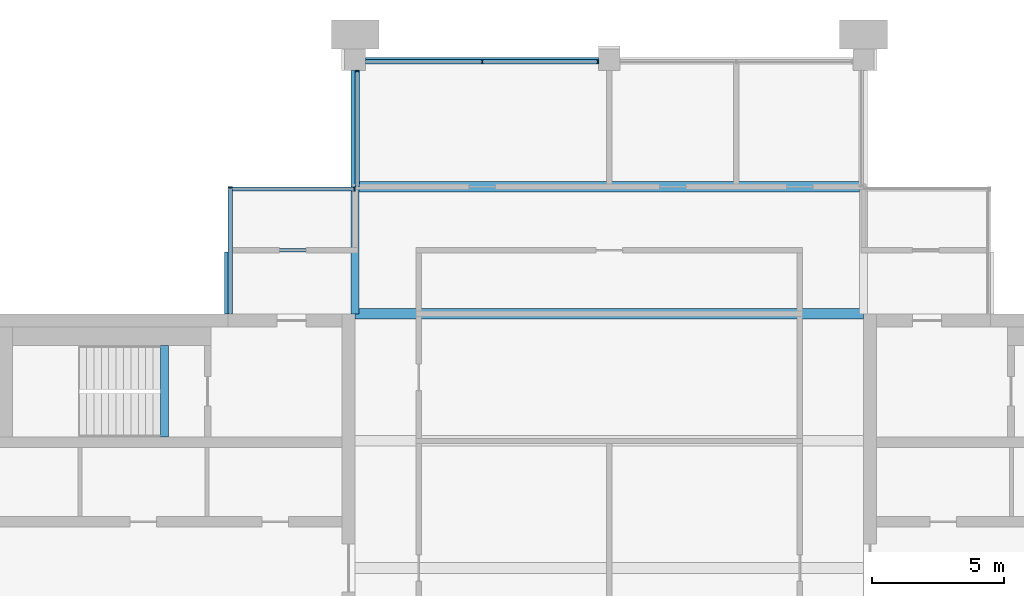
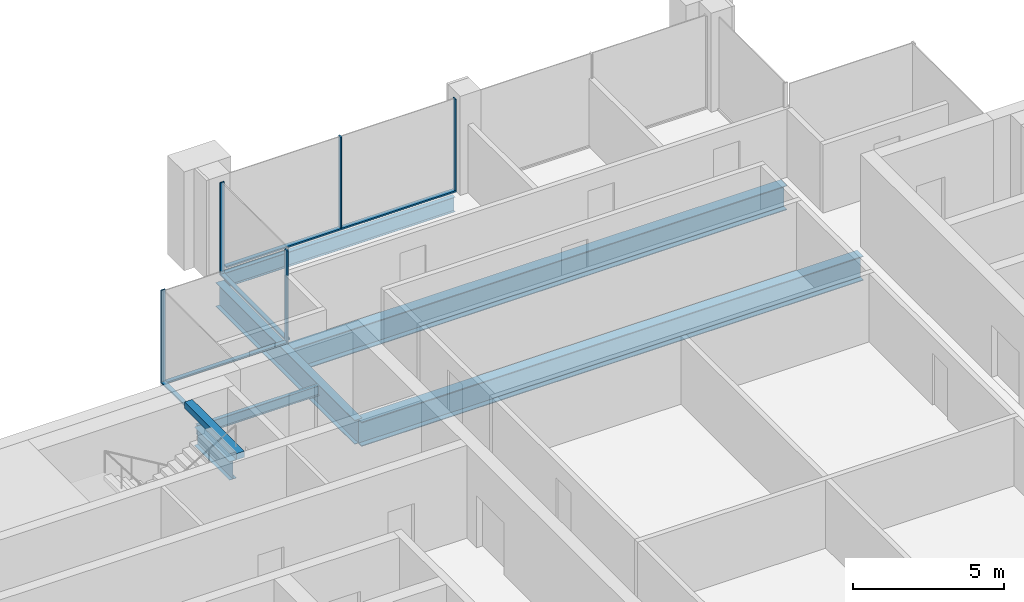
# One storey, part 5 of 12: 9 members, 7 beams, 4 elements without a shape of their own.
"""IFC4 building model written with IfcOpenShell, lengths in metres."""

import ifcopenshell
import ifcopenshell.guid

model = None  # the IFC model being written
_history = None  # IfcOwnerHistory: only IFC2X3 demands one
_inside = {}  # id of a spatial element -> (the spatial element, [elements in it])
_under = {}  # id of a project, library or spatial element -> (it, [spatial elements below it])
_declared = {}  # id of a project -> (the project, [libraries it declares])
_typed = {}  # id of a type object -> (the type object, [elements of that type])
_made_of = {}  # id of a material, layer set ... -> (it, [elements and type objects made of it])


def new_model(schema):
    """Start an empty IFC model of exactly this schema.

    Asked for "IFC4X3", IfcOpenShell would pick the latest addendum, in which some entities
    have other attributes; the version numbers below select the first issue.
    IFC2X3 requires an IfcOwnerHistory on every rooted entity: one is made here for all.
    """
    global model, _history
    if schema == "IFC4X3":
        model = ifcopenshell.file(schema_version=(4, 3, 0, 0))
    else:
        model = ifcopenshell.file(schema=schema)
    _inside.clear()
    _under.clear()
    _declared.clear()
    _typed.clear()
    _made_of.clear()
    _history = None
    if model.schema == "IFC2X3":
        org = make("IfcOrganization", Name="unknown")
        user = make(
            "IfcPersonAndOrganization",
            ThePerson=make("IfcPerson", FamilyName="unknown"),
            TheOrganization=org,
        )
        app = make(
            "IfcApplication",
            ApplicationDeveloper=org,
            Version="unknown",
            ApplicationFullName="unknown",
            ApplicationIdentifier="unknown",
        )
        _history = make(
            "IfcOwnerHistory",
            OwningUser=user,
            OwningApplication=app,
            ChangeAction="ADDED",
            CreationDate=0,
        )
    return model


def make(cls, **values):
    """One entity of the class cls with the attributes given. An attribute that is None is left unset."""
    return model.create_entity(
        cls, **{name: value for name, value in values.items() if value is not None}
    )


def rooted(cls, **values):
    """An entity with a GlobalId (a new one), such as an element, a storey or a relation."""
    return make(cls, GlobalId=ifcopenshell.guid.new(), OwnerHistory=_history, **values)


def si_unit(unit_type, name, prefix=None):
    """IfcSIUnit, for example si_unit("LENGTHUNIT", "METRE", prefix="MILLI")."""
    return make("IfcSIUnit", UnitType=unit_type, Prefix=prefix, Name=name)


def assignment(units):
    """IfcUnitAssignment: the units of a project."""
    return None if units is None else make("IfcUnitAssignment", Units=units)


def point(xyz):
    """IfcCartesianPoint."""
    return None if xyz is None else make("IfcCartesianPoint", Coordinates=xyz)


def direction(xyz):
    """IfcDirection."""
    return None if xyz is None else make("IfcDirection", DirectionRatios=xyz)


def frame(location, z_axis=None, x_axis=None):
    """IfcAxis2Placement3D, a coordinate frame: its origin and axes. An axis left out is left unset."""
    return make(
        "IfcAxis2Placement3D",
        Location=point(location),
        Axis=direction(z_axis),
        RefDirection=direction(x_axis),
    )


def frame_2d(location, x_axis=None):
    """IfcAxis2Placement2D, a coordinate frame in the plane: its origin and x axis."""
    return make(
        "IfcAxis2Placement2D", Location=point(location), RefDirection=direction(x_axis)
    )


def origin():
    """The frame at (0, 0, 0) with its axes left unset."""
    return frame((0.0, 0.0, 0.0))


def origin_2d():
    """The frame at (0, 0) in the plane with its x axis left unset."""
    return frame_2d((0.0, 0.0))


def place(relative_to, where):
    """IfcLocalPlacement: puts the frame where relative to a parent placement (None: the world)."""
    return make(
        "IfcLocalPlacement", PlacementRelTo=relative_to, RelativePlacement=where
    )


def context(
    kind, dimensions, precision=None, world=None, true_north=None, identifier=None
):
    """IfcGeometricRepresentationContext, for example the 3D "Model" context."""
    return make(
        "IfcGeometricRepresentationContext",
        ContextIdentifier=identifier,
        ContextType=kind,
        CoordinateSpaceDimension=dimensions,
        Precision=precision,
        WorldCoordinateSystem=world,
        TrueNorth=true_north,
    )


def subcontext(parent, identifier, kind, view, scale=None):
    """IfcGeometricRepresentationSubContext, for example "Body" below "Model"."""
    return make(
        "IfcGeometricRepresentationSubContext",
        ContextIdentifier=identifier,
        ContextType=kind,
        ParentContext=parent,
        TargetScale=scale,
        TargetView=view,
    )


def project(units=None, contexts=None):
    """IfcProject with its units and contexts."""
    return rooted(
        "IfcProject",
        Name="project",
        RepresentationContexts=contexts,
        UnitsInContext=assignment(units),
    )


def spatial(cls, under=None, at=None, **own):
    """A site, building, storey or space (cls), placed at a placement, below another one or the project."""
    s = rooted(cls, ObjectPlacement=at, **own)
    if under is not None:
        _under.setdefault(under.id(), (under, []))[1].append(s)
    return s


def profile(cls, at=None, kind="AREA", **sizes):
    """A parametric profile (cls). Its sizes go by their IFC names, for example OverallWidth=200.0."""
    return make(cls, ProfileType=kind, Position=at, **sizes)


def rectangle(**sizes):
    """IfcRectangleProfileDef."""
    return profile("IfcRectangleProfileDef", **sizes)


def i_section(**sizes):
    """IfcIShapeProfileDef."""
    return profile("IfcIShapeProfileDef", **sizes)


def extrude(swept, where, along, depth):
    """IfcExtrudedAreaSolid: the profile swept, set in the frame where, extruded along a direction by depth."""
    return make(
        "IfcExtrudedAreaSolid",
        SweptArea=swept,
        Position=where,
        ExtrudedDirection=direction(along),
        Depth=depth,
    )


def shape(context_of_items, identifier, shape_type, items):
    """IfcShapeRepresentation: the items that make up one representation, for example the "Body"."""
    return make(
        "IfcShapeRepresentation",
        ContextOfItems=context_of_items,
        RepresentationIdentifier=identifier,
        RepresentationType=shape_type,
        Items=items,
    )


def material(Name=None, Category=None):
    """IfcMaterial."""
    return make("IfcMaterial", Name=Name, Category=Category)


def material_profile(
    of_material, cross_section, Name=None, Category=None, Priority=None
):
    """IfcMaterialProfile: a cross section and its material."""
    return make(
        "IfcMaterialProfile",
        Name=Name,
        Material=of_material,
        Profile=cross_section,
        Priority=Priority,
        Category=Category,
    )


def profile_set(profiles, Name=None, composite=None):
    """IfcMaterialProfileSet."""
    return make(
        "IfcMaterialProfileSet",
        Name=Name,
        MaterialProfiles=profiles,
        CompositeProfile=composite,
    )


def made_of(thing, what):
    """Note that an element or type object is made of a material, layer set ...; save() writes the relation."""
    if what is not None:
        _made_of.setdefault(what.id(), (what, []))[1].append(thing)
    return thing


def type_object(cls, material=None, **own):
    """A type object (cls), such as IfcWallType, which elements share."""
    return made_of(rooted(cls, **own), material)


def element(
    cls,
    number,
    at=None,
    inside=None,
    cuts=None,
    type_object=None,
    material=None,
    context=None,
    identifier="Body",
    shape_type=None,
    held_by="IfcProductDefinitionShape",
    body=None,
    shapes=None,
    **own,
):
    """One element of the class cls, such as IfcWall. Its Tag is "e" and its number.

    at: its placement. inside: the storey or other place that contains it. cuts: it is an
    opening in that element (IfcRelVoidsElement). A single representation is given by context,
    identifier, shape_type and body (its items); several are given by shapes. held_by: the class
    of the entity that holds the representations. save() writes the other relations.
    """
    e = rooted(cls, Tag="e%d" % number, ObjectPlacement=at, **own)
    if body is not None:
        shapes = [shape(context, identifier, shape_type, body)]
    if shapes is not None:
        e.Representation = make(held_by, Representations=shapes)
    if inside is not None:
        _inside.setdefault(inside.id(), (inside, []))[1].append(e)
    if cuts is not None:
        rooted(
            "IfcRelVoidsElement", RelatingBuildingElement=cuts, RelatedOpeningElement=e
        )
    if type_object is not None:
        _typed.setdefault(type_object.id(), (type_object, []))[1].append(e)
    return made_of(e, material)


def aggregate(whole, parts):
    """IfcRelAggregates: a whole, such as a stair, and the parts it consists of."""
    return rooted("IfcRelAggregates", RelatingObject=whole, RelatedObjects=parts)


def save(model, path):
    """Write the relations noted so far, then the file.

    IfcRelAggregates (storeys below a building ...), IfcRelContainedInSpatialStructure (elements
    in a storey), IfcRelDefinesByType, IfcRelAssociatesMaterial and IfcRelDeclares: one each for
    every whole, place, type object, material and project.
    """
    for whole, parts in _under.values():
        aggregate(whole, parts)
    for where, things in _inside.values():
        rooted(
            "IfcRelContainedInSpatialStructure",
            RelatedElements=things,
            RelatingStructure=where,
        )
    for kind, things in _typed.values():
        rooted("IfcRelDefinesByType", RelatedObjects=things, RelatingType=kind)
    for what, things in _made_of.values():
        rooted("IfcRelAssociatesMaterial", RelatedObjects=things, RelatingMaterial=what)
    for by, libraries in _declared.values():
        rooted("IfcRelDeclares", RelatingContext=by, RelatedDefinitions=libraries)
    model.write(path)


model = new_model("IFC4")

# Units and contexts
model_context = context("Model", 3, precision=1e-05, world=origin(), true_north=direction((0.0, 1.0)))
body_context = subcontext(model_context, "Body", "Model", "MODEL_VIEW")
ifc_project = project(units=[si_unit("LENGTHUNIT", "METRE"), si_unit("AREAUNIT", "SQUARE_METRE"), si_unit("VOLUMEUNIT", "CUBIC_METRE"), si_unit("PLANEANGLEUNIT", "RADIAN"), si_unit("MASSUNIT", "GRAM", prefix="KILO")], contexts=[model_context])

# Site, building, storey
site_placement = place(None, origin())
site = spatial("IfcSite", under=ifc_project, at=site_placement, CompositionType="ELEMENT")
building_placement = place(site_placement, origin())
building = spatial("IfcBuilding", under=site, at=building_placement, Name="Baori Bourse Tower", CompositionType="ELEMENT")
storey_placement = place(building_placement, frame((0.0, 0.0, 362.300048828125)))
storey = spatial("IfcBuildingStorey", under=building, at=storey_placement, Name="L81", CompositionType="ELEMENT", Elevation=362.300048828125)

# Curtain wall, members
ifc_material_1 = material(Name="Pale anodised aluminium", Category="aluminium")
curtain_wall_type = type_object("IfcCurtainWallType", Name="CW3 Curtain wall", PredefinedType="NOTDEFINED", material=ifc_material_1)
curtain_wall_1_placement = place(storey_placement, origin())
curtain_wall_1 = element("IfcCurtainWall", 1, at=curtain_wall_1_placement, inside=storey, type_object=curtain_wall_type, Name="Curtain wall CW3 L81 6", PredefinedType="NOTDEFINED")
ifc_material_2 = material(Name="Pale anodised aluminium", Category="aluminium")
ifc_material_profile_1 = material_profile(ifc_material_2, rectangle(XDim=0.159912109375, YDim=0.050048828125, at=origin_2d()), Name="Mullion 50x160")
ifc_profile_set_1 = profile_set([ifc_material_profile_1], Name="Pale anodised aluminium")
member_type_1 = type_object("IfcMemberType", Name="CW3 Curtain wall mullion", PredefinedType="MULLION", material=ifc_profile_set_1)
member_1_placement = place(storey_placement, frame((28.375, 47.919921875, 0.06005859375), z_axis=(0.0, 0.0, 1.0), x_axis=(0.0, -1.0, 0.0)))
member_1 = element("IfcMember", 2, at=member_1_placement, type_object=member_type_1, Name="Curtain wall CW3 mullion", PredefinedType="MULLION", context=body_context, shape_type="SweptSolid", body=[
    extrude(rectangle(XDim=0.159912109375, YDim=0.050048828125, at=origin_2d()), origin(), (0.0, 0.0, 1.0), 3.68994140625),
])
member_2_placement = place(storey_placement, frame((24.0, 47.919921875, 0.06005859375), z_axis=(0.0, 0.0, 1.0), x_axis=(0.0, -1.0, 0.0)))
member_2 = element("IfcMember", 3, at=member_2_placement, type_object=member_type_1, Name="Curtain wall CW3 mullion", PredefinedType="MULLION", context=body_context, shape_type="SweptSolid", body=[
    extrude(rectangle(XDim=0.159912109375, YDim=0.050048828125, at=origin_2d()), origin(), (0.0, 0.0, 1.0), 3.68994140625),
])

# Curtain wall, member
curtain_wall_2_placement = place(storey_placement, origin())
curtain_wall_2 = element("IfcCurtainWall", 4, at=curtain_wall_2_placement, inside=storey, type_object=curtain_wall_type, Name="Curtain wall CW3 L81 7", PredefinedType="NOTDEFINED")
member_3_placement = place(storey_placement, frame((19.280029296875, 47.574951171875, 0.06005859375), z_axis=(0.0, 0.0, 1.0), x_axis=(1.0, 0.0, 0.0)))
member_3 = element("IfcMember", 5, at=member_3_placement, type_object=member_type_1, Name="Curtain wall CW3 mullion", PredefinedType="MULLION", context=body_context, shape_type="SweptSolid", body=[
    extrude(rectangle(XDim=0.159912109375, YDim=0.050048828125, at=origin_2d()), origin(), (0.0, 0.0, 1.0), 3.68994140625),
])

curtain_wall_3_placement = place(storey_placement, origin())
curtain_wall_3 = element("IfcCurtainWall", 6, at=curtain_wall_3_placement, inside=storey, type_object=curtain_wall_type, Name="Curtain wall CW3 L81 8", PredefinedType="NOTDEFINED")
member_4_placement = place(storey_placement, frame((19.175048828125, 43.1201171875, 0.06005859375), z_axis=(0.0, 0.0, 1.0), x_axis=(0.0, -1.0, 0.0)))
member_4 = element("IfcMember", 7, at=member_4_placement, type_object=member_type_1, Name="Curtain wall CW3 mullion", PredefinedType="MULLION", context=body_context, shape_type="SweptSolid", body=[
    extrude(rectangle(XDim=0.159912109375, YDim=0.050048828125, at=origin_2d()), origin(), (0.0, 0.0, 1.0), 3.68994140625),
])

curtain_wall_4_placement = place(storey_placement, origin())
curtain_wall_4 = element("IfcCurtainWall", 8, at=curtain_wall_4_placement, inside=storey, type_object=curtain_wall_type, Name="Curtain wall CW3 L81 9", PredefinedType="NOTDEFINED")
member_5_placement = place(storey_placement, frame((14.47998046875, 43.175048828125, 0.06005859375), z_axis=(0.0, 0.0, 1.0), x_axis=(1.0, 0.0, 0.0)))
member_5 = element("IfcMember", 9, at=member_5_placement, type_object=member_type_1, Name="Curtain wall CW3 mullion", PredefinedType="MULLION", context=body_context, shape_type="SweptSolid", body=[
    extrude(rectangle(XDim=0.159912109375, YDim=0.050048828125, at=origin_2d()), origin(), (0.0, 0.0, 1.0), 3.68994140625),
])

# Member
ifc_material_3 = material(Name="Pale anodised aluminium", Category="aluminium")
ifc_material_profile_2 = material_profile(ifc_material_3, rectangle(XDim=0.159912109375, YDim=0.06005859375, at=origin_2d()), Name="Transom 60x160")
ifc_profile_set_2 = profile_set([ifc_material_profile_2], Name="Pale anodised aluminium")
member_type_2 = type_object("IfcMemberType", Name="CW3 Curtain wall transom", PredefinedType="USERDEFINED", material=ifc_profile_set_2)
member_6_placement = place(storey_placement, frame((28.39990234375, 47.919921875, 0.030029296875), z_axis=(-1.0, 0.0, 0.0), x_axis=(0.0, -1.0, 0.0)))
member_6 = element("IfcMember", 10, at=member_6_placement, type_object=member_type_2, Name="Curtain wall CW3 sill rail", ObjectType="TRANSOM", PredefinedType="USERDEFINED", context=body_context, shape_type="SweptSolid", body=[
    extrude(rectangle(XDim=0.159912109375, YDim=0.06005859375, at=origin_2d()), origin(), (0.0, 0.0, 1.0), 8.7998046875),
])

aggregate(curtain_wall_1, [member_6, member_1, member_2])

member_7_placement = place(storey_placement, frame((19.280029296875, 47.60009765625, 0.030029296875), z_axis=(0.0, -1.0, 0.0), x_axis=(1.0, 0.0, 0.0)))
member_7 = element("IfcMember", 11, at=member_7_placement, type_object=member_type_2, Name="Curtain wall CW3 sill rail", ObjectType="TRANSOM", PredefinedType="USERDEFINED", context=body_context, shape_type="SweptSolid", body=[
    extrude(rectangle(XDim=0.159912109375, YDim=0.06005859375, at=origin_2d()), origin(), (0.0, 0.0, 1.0), 4.400146484375),
])

aggregate(curtain_wall_2, [member_7, member_3])

member_8_placement = place(storey_placement, frame((19.199951171875, 43.1201171875, 0.030029296875), z_axis=(-1.0, 0.0, 0.0), x_axis=(0.0, -1.0, 0.0)))
member_8 = element("IfcMember", 12, at=member_8_placement, type_object=member_type_2, Name="Curtain wall CW3 sill rail", ObjectType="TRANSOM", PredefinedType="USERDEFINED", context=body_context, shape_type="SweptSolid", body=[
    extrude(rectangle(XDim=0.159912109375, YDim=0.06005859375, at=origin_2d()), origin(), (0.0, 0.0, 1.0), 4.800048828125),
])

aggregate(curtain_wall_3, [member_8, member_4])

member_9_placement = place(storey_placement, frame((14.47998046875, 43.199951171875, 0.030029296875), z_axis=(0.0, -1.0, 0.0), x_axis=(1.0, 0.0, 0.0)))
member_9 = element("IfcMember", 13, at=member_9_placement, type_object=member_type_2, Name="Curtain wall CW3 sill rail", ObjectType="TRANSOM", PredefinedType="USERDEFINED", context=body_context, shape_type="SweptSolid", body=[
    extrude(rectangle(XDim=0.159912109375, YDim=0.06005859375, at=origin_2d()), origin(), (0.0, 0.0, 1.0), 4.800048828125),
])

aggregate(curtain_wall_4, [member_9, member_5])

# Beams
ifc_material_4 = material(Name="Steel A992 Gr 50", Category="steel")
ifc_material_profile_3 = material_profile(ifc_material_4, i_section(OverallWidth=0.26416015625, OverallDepth=0.749267578125, WebThickness=0.011962890625, FlangeThickness=0.015380859375, at=origin_2d()), Name="W30x90")
ifc_profile_set_3 = profile_set([ifc_material_profile_3], Name="Steel A992 Gr 50")
beam_type_1 = type_object("IfcBeamType", Name="Core bracket W30x90", PredefinedType="BEAM", material=ifc_profile_set_3)
beam_1_placement = place(storey_placement, frame((14.39990234375, 38.39990234375, -0.624755859375), z_axis=(0.0, 1.0, 0.0), x_axis=(-1.0, 0.0, 0.0)))
element("IfcBeam", 14, at=beam_1_placement, inside=storey, type_object=beam_type_1, Name="Core bracket L81", PredefinedType="BEAM", context=body_context, shape_type="SweptSolid", body=[
    extrude(i_section(OverallWidth=0.26416015625, OverallDepth=0.749267578125, WebThickness=0.011962890625, FlangeThickness=0.015380859375, at=origin_2d()), origin(), (0.0, 0.0, 1.0), 2.329833984375),
])
ifc_material_5 = material(Name="Steel A992 Gr 50", Category="steel")
ifc_material_profile_4 = material_profile(ifc_material_5, i_section(OverallWidth=0.177978515625, OverallDepth=0.599365234375, WebThickness=0.010009765625, FlangeThickness=0.012939453125, at=origin_2d()), Name="W24x55")
ifc_profile_set_4 = profile_set([ifc_material_profile_4], Name="Steel A992 Gr 50")
beam_type_2 = type_object("IfcBeamType", Name="Edge beam W24x55", PredefinedType="BEAM", material=ifc_profile_set_4)
beam_2_placement = place(storey_placement, frame((19.60009765625, 48.0, -0.5498046875), z_axis=(1.0, 0.0, 0.0), x_axis=(0.0, 1.0, 0.0)))
element("IfcBeam", 15, at=beam_2_placement, inside=storey, type_object=beam_type_2, Name="Edge beam L81", PredefinedType="BEAM", context=body_context, shape_type="SweptSolid", body=[
    extrude(i_section(OverallWidth=0.177978515625, OverallDepth=0.599365234375, WebThickness=0.010009765625, FlangeThickness=0.012939453125, at=origin_2d()), origin(), (0.0, 0.0, 1.0), 8.7998046875),
])
ifc_material_6 = material(Name="Steel A992 Gr 50", Category="steel")
ifc_material_profile_5 = material_profile(ifc_material_6, i_section(OverallWidth=0.4013671875, OverallDepth=0.990478515625, WebThickness=0.0166015625, FlangeThickness=0.031005859375, at=origin_2d()), Name="W40x215")
ifc_profile_set_5 = profile_set([ifc_material_profile_5], Name="Steel A992 Gr 50")
beam_type_3 = type_object("IfcBeamType", Name="Floor beam W40x215", PredefinedType="BEAM", material=ifc_profile_set_5)
beam_3_placement = place(storey_placement, frame((19.199951171875, 38.39990234375, -0.745361328125), z_axis=(1.0, 0.0, 0.0), x_axis=(0.0, 1.0, 0.0)))
element("IfcBeam", 16, at=beam_3_placement, inside=storey, type_object=beam_type_3, Name="Floor beam L81", PredefinedType="BEAM", context=body_context, shape_type="SweptSolid", body=[
    extrude(i_section(OverallWidth=0.4013671875, OverallDepth=0.990478515625, WebThickness=0.0166015625, FlangeThickness=0.031005859375, at=origin_2d()), origin(), (0.0, 0.0, 1.0), 19.199951171875),
])
beam_4_placement = place(storey_placement, frame((19.349853515625, 43.199951171875, -0.745361328125), z_axis=(1.0, 0.0, 0.0), x_axis=(0.0, 1.0, 0.0)))
element("IfcBeam", 17, at=beam_4_placement, inside=storey, type_object=beam_type_3, Name="Floor beam L81", PredefinedType="BEAM", context=body_context, shape_type="SweptSolid", body=[
    extrude(i_section(OverallWidth=0.4013671875, OverallDepth=0.990478515625, WebThickness=0.0166015625, FlangeThickness=0.031005859375, at=origin_2d()), origin(), (0.0, 0.0, 1.0), 18.900390625),
])
ifc_material_7 = material(Name="Steel A992 Gr 50", Category="steel")
ifc_material_profile_6 = material_profile(ifc_material_7, i_section(OverallWidth=0.2998046875, OverallDepth=0.97021484375, WebThickness=0.01611328125, FlangeThickness=0.02099609375, at=origin_2d()), Name="W40x149")
ifc_profile_set_6 = profile_set([ifc_material_profile_6], Name="Steel A992 Gr 50")
beam_type_4 = type_object("IfcBeamType", Name="Girder W40x149", PredefinedType="BEAM", material=ifc_profile_set_6)
beam_5_placement = place(storey_placement, frame((19.199951171875, 38.39990234375, -0.735107421875), z_axis=(0.0, 1.0, 0.0), x_axis=(-1.0, 0.0, 0.0)))
element("IfcBeam", 18, at=beam_5_placement, inside=storey, type_object=beam_type_4, Name="Girder L81", PredefinedType="BEAM", context=body_context, shape_type="SweptSolid", body=[
    extrude(i_section(OverallWidth=0.2998046875, OverallDepth=0.97021484375, WebThickness=0.01611328125, FlangeThickness=0.02099609375, at=origin_2d()), origin(), (0.0, 0.0, 1.0), 9.2001953125),
])
ifc_material_8 = material(Name="Concrete f'c 50 MPa", Category="concrete")
ifc_material_profile_7 = material_profile(ifc_material_8, rectangle(XDim=0.300048828125, YDim=0.25, at=origin_2d()), Name="RC 300x250")
ifc_profile_set_7 = profile_set([ifc_material_profile_7], Name="Concrete f'c 50 MPa")
beam_type_5 = type_object("IfcBeamType", Name="Stair nib beam RC 300x250", PredefinedType="BEAM", material=ifc_profile_set_7)
beam_6_placement = place(storey_placement, frame((12.0, 33.75, 3.625), z_axis=(0.0, 1.0, 0.0), x_axis=(-1.0, 0.0, 0.0)))
element("IfcBeam", 19, at=beam_6_placement, inside=storey, type_object=beam_type_5, Name="Stair WB nib beam L82", PredefinedType="BEAM", context=body_context, shape_type="SweptSolid", body=[
    extrude(rectangle(XDim=0.300048828125, YDim=0.25, at=origin_2d()), origin(), (0.0, 0.0, 1.0), 3.449951171875),
])
ifc_material_9 = material(Name="Steel A992 Gr 50", Category="steel")
ifc_material_profile_8 = material_profile(ifc_material_9, i_section(OverallWidth=0.140380859375, OverallDepth=0.40380859375, WebThickness=0.007080078125, FlangeThickness=0.01123046875, at=origin_2d()), Name="W16x31")
ifc_profile_set_8 = profile_set([ifc_material_profile_8], Name="Steel A992 Gr 50")
beam_type_6 = type_object("IfcBeamType", Name="Trimmer beam W16x31", PredefinedType="BEAM", material=ifc_profile_set_8)
beam_7_placement = place(storey_placement, frame((14.39990234375, 40.800048828125, -0.451904296875), z_axis=(1.0, 0.0, 0.0), x_axis=(0.0, 1.0, 0.0)))
element("IfcBeam", 20, at=beam_7_placement, inside=storey, type_object=beam_type_6, Name="Trimmer beam L81", PredefinedType="BEAM", context=body_context, shape_type="SweptSolid", body=[
    extrude(i_section(OverallWidth=0.140380859375, OverallDepth=0.40380859375, WebThickness=0.007080078125, FlangeThickness=0.01123046875, at=origin_2d()), origin(), (0.0, 0.0, 1.0), 4.650146484375),
])

save(model, "model.ifc")
